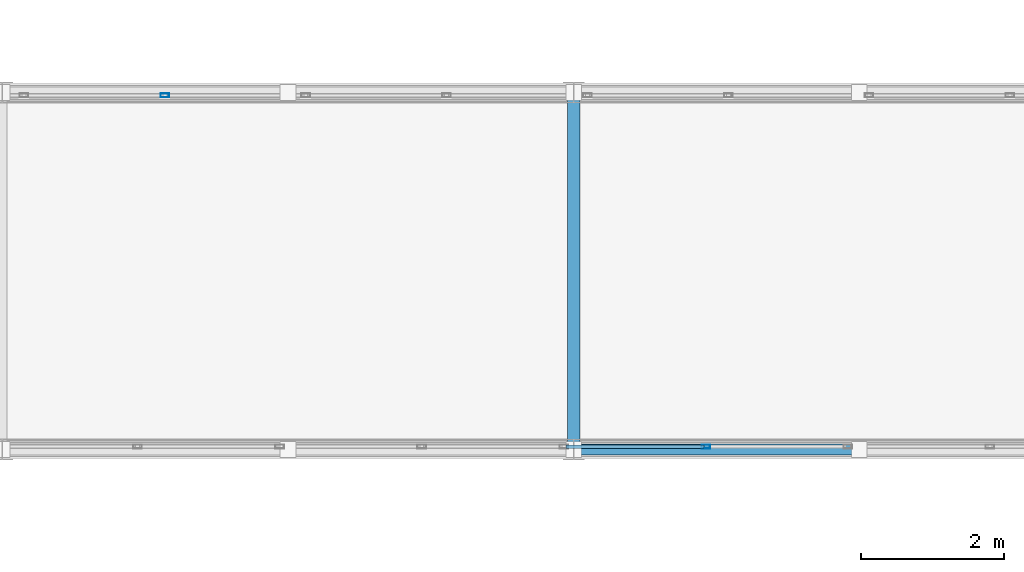
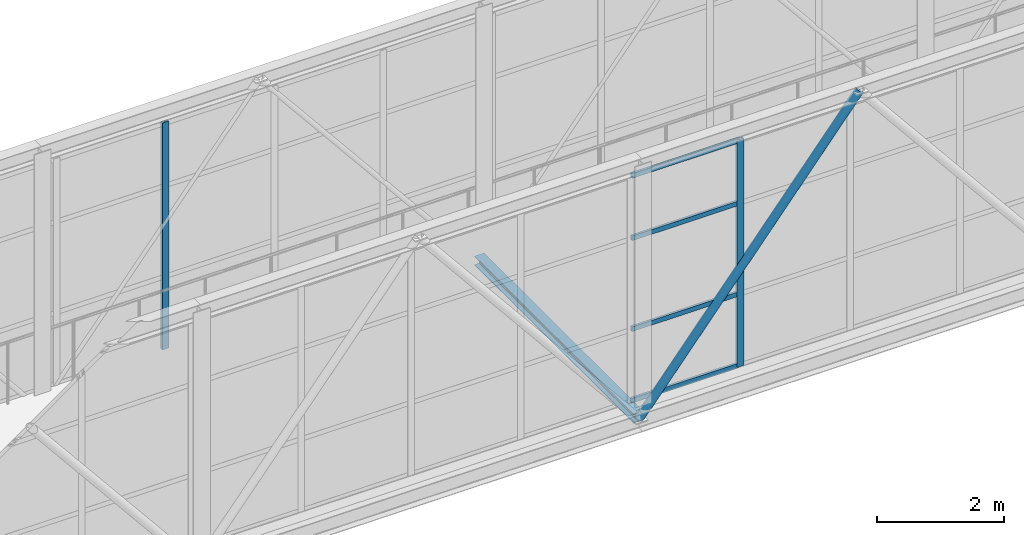
# One storey, part 153 of 248: 8 members, 2 elements without a shape of their own.
"""IFC4 building model written with IfcOpenShell, lengths in metres."""

from ifc_helpers import new_model, si_unit, direction, frame, origin, origin_2d, place, context, subcontext, project, spatial, hollow_rectangle, hollow_circle, i_section, extrude, material, layer, layer_set, material_profile, profile_set, type_object, element, aggregate, save


model = new_model("IFC4")

# Units and contexts
model_context = context("Model", 3, precision=1e-05, world=origin(), true_north=direction((0.0, 1.0)))
body_context = subcontext(model_context, "Body", "Model", "MODEL_VIEW")
ifc_project = project(units=[si_unit("LENGTHUNIT", "METRE"), si_unit("AREAUNIT", "SQUARE_METRE"), si_unit("VOLUMEUNIT", "CUBIC_METRE"), si_unit("PLANEANGLEUNIT", "RADIAN"), si_unit("MASSUNIT", "GRAM", prefix="KILO")], contexts=[model_context])

# Site, building, storey
site_placement = place(None, origin())
site = spatial("IfcSite", under=ifc_project, at=site_placement, CompositionType="ELEMENT")
building_placement = place(site_placement, origin())
building = spatial("IfcBuilding", under=site, at=building_placement, Name="Canggui Botanical Conservatory", CompositionType="ELEMENT")
storey_placement = place(building_placement, frame((0.0, 0.0, 5.39990234375)))
storey = spatial("IfcBuildingStorey", under=building, at=storey_placement, Name="L02", CompositionType="ELEMENT", Elevation=5.39990234375)

# Curtain wall, member
ifc_material_1 = material(Name="Thermally Broken Aluminium", Category="aluminium")
ifc_layer = layer(ifc_material_1, 0.1201171875, Name="Thermally Broken Aluminium", Category="aluminium")
ifc_layer_set = layer_set([ifc_layer], Name="Thermally Broken Aluminium")
curtain_wall_type = type_object("IfcCurtainWallType", Name="CW-STICK-B", PredefinedType="USERDEFINED", material=ifc_layer_set)
curtain_wall_1_placement = place(storey_placement, origin())
curtain_wall_1 = element("IfcCurtainWall", 1, at=curtain_wall_1_placement, inside=storey, type_object=curtain_wall_type, Name="Facade Curtain Wall CW-SB-04-1", ObjectType="STICK GLAZED WALL", PredefinedType="USERDEFINED")
ifc_material_profile_1 = material_profile(ifc_material_1, hollow_rectangle(XDim=0.054931640625, YDim=0.1201171875, WallThickness=0.0029296875, at=origin_2d()), Name="CWM 55x120x3")
ifc_profile_set_1 = profile_set([ifc_material_profile_1], Name="Thermally Broken Aluminium")
member_type_1 = type_object("IfcMemberType", Name="CWM-05", PredefinedType="MULLION", material=ifc_profile_set_1)
member_1_placement = place(storey_placement, frame((91.352294921875, 75.0400390625, 0.0), z_axis=(0.0, 0.0, 1.0), x_axis=(0.0, 1.0, 0.0)))
member_1 = element("IfcMember", 2, at=member_1_placement, type_object=member_type_1, Name="CW-05 mullion 13", PredefinedType="MULLION", context=body_context, shape_type="SweptSolid", body=[
    extrude(hollow_rectangle(XDim=0.054931640625, YDim=0.1201171875, WallThickness=0.0029296875, at=origin_2d()), origin(), (0.0, 0.0, 1.0), 4.35009765625),
])

curtain_wall_2_placement = place(storey_placement, origin())
curtain_wall_2 = element("IfcCurtainWall", 3, at=curtain_wall_2_placement, inside=storey, type_object=curtain_wall_type, Name="Facade Curtain Wall CW-SB-04-2", ObjectType="STICK GLAZED WALL", PredefinedType="USERDEFINED")
member_2_placement = place(storey_placement, frame((83.775390625, 79.9599609375, 0.0), z_axis=(0.0, 0.0, 1.0), x_axis=(0.0, 1.0, 0.0)))
member_2 = element("IfcMember", 4, at=member_2_placement, type_object=member_type_1, Name="CW-05 mullion 10", PredefinedType="MULLION", context=body_context, shape_type="SweptSolid", body=[
    extrude(hollow_rectangle(XDim=0.054931640625, YDim=0.1201171875, WallThickness=0.0029296875, at=origin_2d()), origin(), (0.0, 0.0, 1.0), 4.35009765625),
])
aggregate(curtain_wall_2, [member_2])

# Member
ifc_material_profile_2 = material_profile(ifc_material_1, hollow_rectangle(XDim=0.044921875, YDim=0.090087890625, WallThickness=0.0029296875, at=origin_2d()), Name="CWT 45x90x3")
ifc_profile_set_2 = profile_set([ifc_material_profile_2], Name="Thermally Broken Aluminium")
member_type_2 = type_object("IfcMemberType", Name="CWT-05", PredefinedType="USERDEFINED", material=ifc_profile_set_2)
member_3_placement = place(storey_placement, frame((89.390380859375, 75.0400390625, 0.022705078125), z_axis=(1.0, 0.0, 0.0), x_axis=(0.0, 1.0, 0.0)))
member_3 = element("IfcMember", 5, at=member_3_placement, type_object=member_type_2, Name="CW-05 transom 12.1", ObjectType="TRANSOM", PredefinedType="USERDEFINED", context=body_context, shape_type="SweptSolid", body=[
    extrude(hollow_rectangle(XDim=0.044921875, YDim=0.090087890625, WallThickness=0.0029296875, at=origin_2d()), origin(), (0.0, 0.0, 1.0), 1.934326171875),
])

member_4_placement = place(storey_placement, frame((89.390380859375, 75.0400390625, 1.39208984375), z_axis=(1.0, 0.0, 0.0), x_axis=(0.0, 1.0, 0.0)))
member_4 = element("IfcMember", 6, at=member_4_placement, type_object=member_type_2, Name="CW-05 transom 12.2", ObjectType="TRANSOM", PredefinedType="USERDEFINED", context=body_context, shape_type="SweptSolid", body=[
    extrude(hollow_rectangle(XDim=0.044921875, YDim=0.090087890625, WallThickness=0.0029296875, at=origin_2d()), origin(), (0.0, 0.0, 1.0), 1.934326171875),
])

member_5_placement = place(storey_placement, frame((89.390380859375, 75.0400390625, 3.132080078125), z_axis=(1.0, 0.0, 0.0), x_axis=(0.0, 1.0, 0.0)))
member_5 = element("IfcMember", 7, at=member_5_placement, type_object=member_type_2, Name="CW-05 transom 12.3", ObjectType="TRANSOM", PredefinedType="USERDEFINED", context=body_context, shape_type="SweptSolid", body=[
    extrude(hollow_rectangle(XDim=0.044921875, YDim=0.090087890625, WallThickness=0.0029296875, at=origin_2d()), origin(), (0.0, 0.0, 1.0), 1.934326171875),
])

member_6_placement = place(storey_placement, frame((89.390380859375, 75.0400390625, 4.32763671875), z_axis=(1.0, 0.0, 0.0), x_axis=(0.0, 1.0, 0.0)))
member_6 = element("IfcMember", 8, at=member_6_placement, type_object=member_type_2, Name="CW-05 transom 12.4", ObjectType="TRANSOM", PredefinedType="USERDEFINED", context=body_context, shape_type="SweptSolid", body=[
    extrude(hollow_rectangle(XDim=0.044921875, YDim=0.090087890625, WallThickness=0.0029296875, at=origin_2d()), origin(), (0.0, 0.0, 1.0), 1.934326171875),
])

aggregate(curtain_wall_1, [member_1, member_3, member_4, member_5, member_6])

# Members
ifc_material_2 = material(Name="Steel Q355C", Category="steel")
ifc_material_profile_3 = material_profile(ifc_material_2, hollow_circle(Radius=0.075927734375, WallThickness=0.006103515625, at=origin_2d()), Name="CHS 152x6")
ifc_profile_set_3 = profile_set([ifc_material_profile_3], Name="Steel Q355C")
member_type_3 = type_object("IfcMemberType", Name="MEM-GSD04", PredefinedType="RAFTER", material=ifc_profile_set_3)
member_7_placement = place(storey_placement, frame((89.5, 75.0, -0.349853515625), z_axis=(0.632384053133, 0.0, 0.774655026024), x_axis=(0.0, 1.0, 0.0)))
element("IfcMember", 9, at=member_7_placement, inside=storey, type_object=member_type_3, Name="SB-04 Truss Web Rafter 1.5A", PredefinedType="RAFTER", context=body_context, shape_type="SweptSolid", body=[
    extrude(hollow_circle(Radius=0.075927734375, WallThickness=0.006103515625, at=origin_2d()), origin(), (0.0, 0.0, 1.0), 6.3251953125),
])
ifc_material_3 = material(Name="Steel Q355B", Category="steel")
ifc_material_profile_4 = material_profile(ifc_material_3, i_section(OverallWidth=0.175048828125, OverallDepth=0.175048828125, WebThickness=0.007568359375, FlangeThickness=0.010986328125, FilletRadius=0.011962890625, at=origin_2d()), Name="HW 175x175x7.5x11")
ifc_profile_set_4 = profile_set([ifc_material_profile_4], Name="Steel Q355B")
member_type_4 = type_object("IfcMemberType", Name="MEM-STR02", PredefinedType="STRINGER", material=ifc_profile_set_4)
member_8_placement = place(storey_placement, frame((89.5, 75.0, -0.31982421875), z_axis=(0.0, 1.0, 0.0), x_axis=(-1.0, 0.0, 0.0)))
element("IfcMember", 10, at=member_8_placement, inside=storey, type_object=member_type_4, Name="SB-04 Deck Transverse Stringer 3", PredefinedType="STRINGER", context=body_context, shape_type="SweptSolid", body=[
    extrude(i_section(OverallWidth=0.175048828125, OverallDepth=0.175048828125, WebThickness=0.007568359375, FlangeThickness=0.010986328125, FilletRadius=0.011962890625, at=origin_2d()), origin(), (0.0, 0.0, 1.0), 5.0),
])

save(model, "model.ifc")
